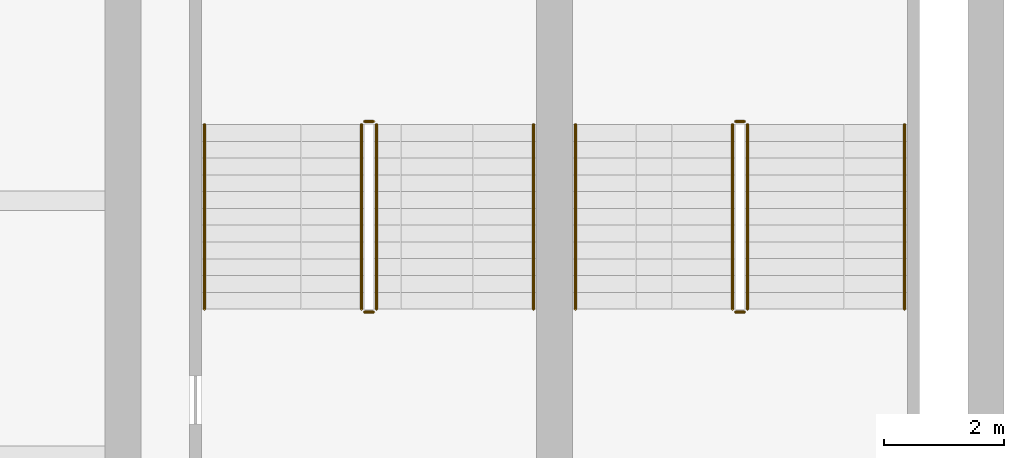
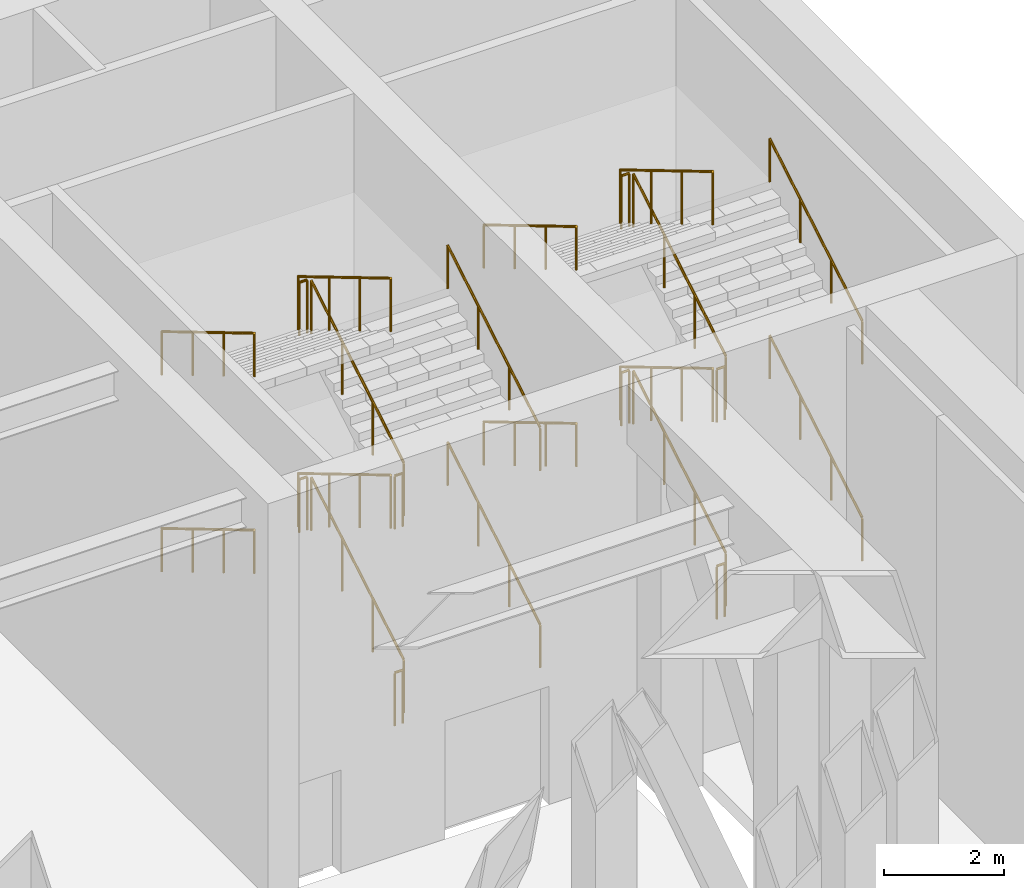
# One storey, part 20 of 20: 4 railings.
"""IFC4 building model written with IfcOpenShell, lengths in metres."""

from ifc_helpers import new_model, si_unit, direction, frame, origin, origin_2d, place, context, subcontext, project, spatial, circle, extrude, material, type_object, element, save


model = new_model("IFC4")

# Units and contexts
model_context = context("Model", 3, precision=1e-05, world=origin(), true_north=direction((0.0, 1.0)))
body_context = subcontext(model_context, "Body", "Model", "MODEL_VIEW")
ifc_project = project(units=[si_unit("LENGTHUNIT", "METRE"), si_unit("AREAUNIT", "SQUARE_METRE"), si_unit("VOLUMEUNIT", "CUBIC_METRE"), si_unit("PLANEANGLEUNIT", "RADIAN"), si_unit("MASSUNIT", "GRAM", prefix="KILO")], contexts=[model_context])

# Site, building, storey
site_placement = place(None, origin())
site = spatial("IfcSite", under=ifc_project, at=site_placement, CompositionType="ELEMENT")
building_placement = place(site_placement, origin())
building = spatial("IfcBuilding", under=site, at=building_placement, Name="Corbelhall Arena Tower", CompositionType="ELEMENT")
storey_placement = place(building_placement, frame((0.0, 0.0, 44.0)))
storey = spatial("IfcBuildingStorey", under=building, at=storey_placement, Name="L06", CompositionType="ELEMENT", Elevation=44.0)

# Railings
ifc_material = material(Name="Stainless steel A4", Category="steel")
railing_type_1 = type_object("IfcRailingType", Name="AR-STAIR-GUARD", PredefinedType="GUARDRAIL", material=ifc_material)
railing_1_placement = place(storey_placement, frame((37.530029296875, 27.320068359375, 0.166748046875)))
element("IfcRailing", 1, at=railing_1_placement, inside=storey, type_object=railing_type_1, Name="L06 AS1 stair guards", PredefinedType="GUARDRAIL", context=body_context, shape_type="SweptSolid", body=[
    extrude(circle(Radius=0.02392578125, at=origin_2d()), frame((0.0, 0.0, 1.076171875), z_axis=(0.0, 0.859290745958, 0.51148745235), x_axis=(-1.0, 0.0, 0.0)), (0.0, 0.0, 1.0), 3.584228515625),
    extrude(circle(Radius=0.02392578125, at=origin_2d()), frame((-0.050048828125, 3.1298828125, 2.9091796875), z_axis=(-1.0, 0.0, 0.0), x_axis=(0.0, -1.0, 0.0)), (0.0, 0.0, 1.0), 0.14990234375),
    extrude(circle(Radius=0.02392578125, at=origin_2d()), frame((-0.25, 3.079833984375, 3.076171875), z_axis=(0.0, -0.859290745958, 0.51148745235), x_axis=(1.0, 0.0, 0.0)), (0.0, 0.0, 1.0), 3.584228515625),
    extrude(circle(Radius=0.02392578125, at=origin_2d()), frame((-0.050048828125, -0.050048828125, 4.9091796875), z_axis=(-1.0, 0.0, 0.0), x_axis=(0.0, -1.0, 0.0)), (0.0, 0.0, 1.0), 0.14990234375),
    extrude(circle(Radius=0.02392578125, at=origin_2d()), frame((0.0, 0.0, 5.076171875), z_axis=(0.0, 0.859290745958, 0.51148745235), x_axis=(-1.0, 0.0, 0.0)), (0.0, 0.0, 1.0), 3.584228515625),
    extrude(circle(Radius=0.02392578125, at=origin_2d()), frame((-0.050048828125, 3.1298828125, 6.9091796875), z_axis=(-1.0, 0.0, 0.0), x_axis=(0.0, -1.0, 0.0)), (0.0, 0.0, 1.0), 0.14990234375),
    extrude(circle(Radius=0.02392578125, at=origin_2d()), frame((-0.25, 3.079833984375, 7.076171875), z_axis=(0.0, -0.859290745958, 0.51148745235), x_axis=(1.0, 0.0, 0.0)), (0.0, 0.0, 1.0), 3.584228515625),
    extrude(circle(Radius=0.02392578125, at=origin_2d()), frame((-0.050048828125, -0.050048828125, 0.9091796875), z_axis=(-1.0, 0.0, 0.0), x_axis=(0.0, -1.0, 0.0)), (0.0, 0.0, 1.0), 0.14990234375),
    extrude(circle(Radius=0.02099609375, at=origin_2d()), origin(), (0.0, 0.0, 1.0), 1.052001953125),
    extrude(circle(Radius=0.02099609375, at=origin_2d()), frame((0.0, 1.026611328125, 0.611083984375)), (0.0, 0.0, 1.0), 1.052001953125),
    extrude(circle(Radius=0.02099609375, at=origin_2d()), frame((0.0, 2.05322265625, 1.22216796875)), (0.0, 0.0, 1.0), 1.052001953125),
    extrude(circle(Radius=0.02099609375, at=origin_2d()), frame((0.0, 3.079833984375, 1.833251953125)), (0.0, 0.0, 1.0), 1.052001953125),
    extrude(circle(Radius=0.02099609375, at=origin_2d()), frame((-0.050048828125, 3.1298828125, 1.833251953125)), (0.0, 0.0, 1.0), 1.052001953125),
    extrude(circle(Radius=0.02099609375, at=origin_2d()), frame((-0.199951171875, 3.1298828125, 1.833251953125)), (0.0, 0.0, 1.0), 1.052001953125),
    extrude(circle(Radius=0.02099609375, at=origin_2d()), frame((-0.25, 3.079833984375, 2.0)), (0.0, 0.0, 1.0), 1.052001953125),
    extrude(circle(Radius=0.02099609375, at=origin_2d()), frame((-0.25, 2.05322265625, 2.611083984375)), (0.0, 0.0, 1.0), 1.052001953125),
    extrude(circle(Radius=0.02099609375, at=origin_2d()), frame((-0.25, 1.026611328125, 3.22216796875)), (0.0, 0.0, 1.0), 1.052001953125),
    extrude(circle(Radius=0.02099609375, at=origin_2d()), frame((-0.25, 0.0, 3.833251953125)), (0.0, 0.0, 1.0), 1.052001953125),
    extrude(circle(Radius=0.02099609375, at=origin_2d()), frame((-0.050048828125, -0.050048828125, 3.833251953125)), (0.0, 0.0, 1.0), 1.052001953125),
    extrude(circle(Radius=0.02099609375, at=origin_2d()), frame((-0.199951171875, -0.050048828125, 3.833251953125)), (0.0, 0.0, 1.0), 1.052001953125),
    extrude(circle(Radius=0.02099609375, at=origin_2d()), frame((0.0, 0.0, 4.0)), (0.0, 0.0, 1.0), 1.052001953125),
    extrude(circle(Radius=0.02099609375, at=origin_2d()), frame((0.0, 1.026611328125, 4.611083984375)), (0.0, 0.0, 1.0), 1.052001953125),
    extrude(circle(Radius=0.02099609375, at=origin_2d()), frame((0.0, 2.05322265625, 5.22216796875)), (0.0, 0.0, 1.0), 1.052001953125),
    extrude(circle(Radius=0.02099609375, at=origin_2d()), frame((0.0, 3.079833984375, 5.833251953125)), (0.0, 0.0, 1.0), 1.052001953125),
    extrude(circle(Radius=0.02099609375, at=origin_2d()), frame((-0.050048828125, 3.1298828125, 5.833251953125)), (0.0, 0.0, 1.0), 1.052001953125),
    extrude(circle(Radius=0.02099609375, at=origin_2d()), frame((-0.199951171875, 3.1298828125, 5.833251953125)), (0.0, 0.0, 1.0), 1.052001953125),
    extrude(circle(Radius=0.02099609375, at=origin_2d()), frame((-0.25, 3.079833984375, 6.0)), (0.0, 0.0, 1.0), 1.052001953125),
    extrude(circle(Radius=0.02099609375, at=origin_2d()), frame((-0.25, 2.05322265625, 6.611083984375)), (0.0, 0.0, 1.0), 1.052001953125),
    extrude(circle(Radius=0.02099609375, at=origin_2d()), frame((-0.25, 1.026611328125, 7.22216796875)), (0.0, 0.0, 1.0), 1.052001953125),
    extrude(circle(Radius=0.02099609375, at=origin_2d()), frame((-0.25, 0.0, 7.833251953125)), (0.0, 0.0, 1.0), 1.052001953125),
    extrude(circle(Radius=0.02099609375, at=origin_2d()), frame((-0.050048828125, -0.050048828125, -0.166748046875)), (0.0, 0.0, 1.0), 1.052001953125),
    extrude(circle(Radius=0.02099609375, at=origin_2d()), frame((-0.199951171875, -0.050048828125, -0.166748046875)), (0.0, 0.0, 1.0), 1.052001953125),
])
railing_2_placement = place(storey_placement, frame((43.719970703125, 27.320068359375, 0.166748046875)))
element("IfcRailing", 2, at=railing_2_placement, inside=storey, type_object=railing_type_1, Name="L06 AS2 stair guards", PredefinedType="GUARDRAIL", context=body_context, shape_type="SweptSolid", body=[
    extrude(circle(Radius=0.02392578125, at=origin_2d()), frame((0.0, 0.0, 1.076171875), z_axis=(0.0, 0.859290745958, 0.51148745235), x_axis=(-1.0, 0.0, 0.0)), (0.0, 0.0, 1.0), 3.584228515625),
    extrude(circle(Radius=0.02392578125, at=origin_2d()), frame((-0.050048828125, 3.1298828125, 2.9091796875), z_axis=(-1.0, 0.0, 0.0), x_axis=(0.0, -1.0, 0.0)), (0.0, 0.0, 1.0), 0.14990234375),
    extrude(circle(Radius=0.02392578125, at=origin_2d()), frame((-0.25, 3.079833984375, 3.076171875), z_axis=(0.0, -0.859290745958, 0.51148745235), x_axis=(1.0, 0.0, 0.0)), (0.0, 0.0, 1.0), 3.584228515625),
    extrude(circle(Radius=0.02392578125, at=origin_2d()), frame((-0.050048828125, -0.050048828125, 4.9091796875), z_axis=(-1.0, 0.0, 0.0), x_axis=(0.0, -1.0, 0.0)), (0.0, 0.0, 1.0), 0.14990234375),
    extrude(circle(Radius=0.02392578125, at=origin_2d()), frame((0.0, 0.0, 5.076171875), z_axis=(0.0, 0.859290745958, 0.51148745235), x_axis=(-1.0, 0.0, 0.0)), (0.0, 0.0, 1.0), 3.584228515625),
    extrude(circle(Radius=0.02392578125, at=origin_2d()), frame((-0.050048828125, 3.1298828125, 6.9091796875), z_axis=(-1.0, 0.0, 0.0), x_axis=(0.0, -1.0, 0.0)), (0.0, 0.0, 1.0), 0.14990234375),
    extrude(circle(Radius=0.02392578125, at=origin_2d()), frame((-0.25, 3.079833984375, 7.076171875), z_axis=(0.0, -0.859290745958, 0.51148745235), x_axis=(1.0, 0.0, 0.0)), (0.0, 0.0, 1.0), 3.584228515625),
    extrude(circle(Radius=0.02392578125, at=origin_2d()), frame((-0.050048828125, -0.050048828125, 0.9091796875), z_axis=(-1.0, 0.0, 0.0), x_axis=(0.0, -1.0, 0.0)), (0.0, 0.0, 1.0), 0.14990234375),
    extrude(circle(Radius=0.02099609375, at=origin_2d()), origin(), (0.0, 0.0, 1.0), 1.052001953125),
    extrude(circle(Radius=0.02099609375, at=origin_2d()), frame((0.0, 1.026611328125, 0.611083984375)), (0.0, 0.0, 1.0), 1.052001953125),
    extrude(circle(Radius=0.02099609375, at=origin_2d()), frame((0.0, 2.05322265625, 1.22216796875)), (0.0, 0.0, 1.0), 1.052001953125),
    extrude(circle(Radius=0.02099609375, at=origin_2d()), frame((0.0, 3.079833984375, 1.833251953125)), (0.0, 0.0, 1.0), 1.052001953125),
    extrude(circle(Radius=0.02099609375, at=origin_2d()), frame((-0.050048828125, 3.1298828125, 1.833251953125)), (0.0, 0.0, 1.0), 1.052001953125),
    extrude(circle(Radius=0.02099609375, at=origin_2d()), frame((-0.199951171875, 3.1298828125, 1.833251953125)), (0.0, 0.0, 1.0), 1.052001953125),
    extrude(circle(Radius=0.02099609375, at=origin_2d()), frame((-0.25, 3.079833984375, 2.0)), (0.0, 0.0, 1.0), 1.052001953125),
    extrude(circle(Radius=0.02099609375, at=origin_2d()), frame((-0.25, 2.05322265625, 2.611083984375)), (0.0, 0.0, 1.0), 1.052001953125),
    extrude(circle(Radius=0.02099609375, at=origin_2d()), frame((-0.25, 1.026611328125, 3.22216796875)), (0.0, 0.0, 1.0), 1.052001953125),
    extrude(circle(Radius=0.02099609375, at=origin_2d()), frame((-0.25, 0.0, 3.833251953125)), (0.0, 0.0, 1.0), 1.052001953125),
    extrude(circle(Radius=0.02099609375, at=origin_2d()), frame((-0.050048828125, -0.050048828125, 3.833251953125)), (0.0, 0.0, 1.0), 1.052001953125),
    extrude(circle(Radius=0.02099609375, at=origin_2d()), frame((-0.199951171875, -0.050048828125, 3.833251953125)), (0.0, 0.0, 1.0), 1.052001953125),
    extrude(circle(Radius=0.02099609375, at=origin_2d()), frame((0.0, 0.0, 4.0)), (0.0, 0.0, 1.0), 1.052001953125),
    extrude(circle(Radius=0.02099609375, at=origin_2d()), frame((0.0, 1.026611328125, 4.611083984375)), (0.0, 0.0, 1.0), 1.052001953125),
    extrude(circle(Radius=0.02099609375, at=origin_2d()), frame((0.0, 2.05322265625, 5.22216796875)), (0.0, 0.0, 1.0), 1.052001953125),
    extrude(circle(Radius=0.02099609375, at=origin_2d()), frame((0.0, 3.079833984375, 5.833251953125)), (0.0, 0.0, 1.0), 1.052001953125),
    extrude(circle(Radius=0.02099609375, at=origin_2d()), frame((-0.050048828125, 3.1298828125, 5.833251953125)), (0.0, 0.0, 1.0), 1.052001953125),
    extrude(circle(Radius=0.02099609375, at=origin_2d()), frame((-0.199951171875, 3.1298828125, 5.833251953125)), (0.0, 0.0, 1.0), 1.052001953125),
    extrude(circle(Radius=0.02099609375, at=origin_2d()), frame((-0.25, 3.079833984375, 6.0)), (0.0, 0.0, 1.0), 1.052001953125),
    extrude(circle(Radius=0.02099609375, at=origin_2d()), frame((-0.25, 2.05322265625, 6.611083984375)), (0.0, 0.0, 1.0), 1.052001953125),
    extrude(circle(Radius=0.02099609375, at=origin_2d()), frame((-0.25, 1.026611328125, 7.22216796875)), (0.0, 0.0, 1.0), 1.052001953125),
    extrude(circle(Radius=0.02099609375, at=origin_2d()), frame((-0.25, 0.0, 7.833251953125)), (0.0, 0.0, 1.0), 1.052001953125),
    extrude(circle(Radius=0.02099609375, at=origin_2d()), frame((-0.050048828125, -0.050048828125, -0.166748046875)), (0.0, 0.0, 1.0), 1.052001953125),
    extrude(circle(Radius=0.02099609375, at=origin_2d()), frame((-0.199951171875, -0.050048828125, -0.166748046875)), (0.0, 0.0, 1.0), 1.052001953125),
])
railing_type_2 = type_object("IfcRailingType", Name="AR-STAIR-HANDRAIL", PredefinedType="HANDRAIL", material=ifc_material)
railing_3_placement = place(storey_placement, frame((40.14990234375, 27.320068359375, 0.166748046875)))
element("IfcRailing", 3, at=railing_3_placement, inside=storey, type_object=railing_type_2, Name="L06 AS1 stair handrails", PredefinedType="HANDRAIL", context=body_context, shape_type="SweptSolid", body=[
    extrude(circle(Radius=0.02392578125, at=origin_2d()), frame((0.0, 0.0, 0.8759765625), z_axis=(0.0, 0.859290745958, 0.51148745235), x_axis=(-1.0, 0.0, 0.0)), (0.0, 0.0, 1.0), 3.584228515625),
    extrude(circle(Radius=0.02392578125, at=origin_2d()), frame((-5.489990234375, 3.079833984375, 2.8759765625), z_axis=(0.0, -0.859290745958, 0.51148745235), x_axis=(1.0, 0.0, 0.0)), (0.0, 0.0, 1.0), 3.584228515625),
    extrude(circle(Radius=0.02392578125, at=origin_2d()), frame((0.0, 0.0, 4.8759765625), z_axis=(0.0, 0.859290745958, 0.51148745235), x_axis=(-1.0, 0.0, 0.0)), (0.0, 0.0, 1.0), 3.584228515625),
    extrude(circle(Radius=0.02392578125, at=origin_2d()), frame((-5.489990234375, 3.079833984375, 6.8759765625), z_axis=(0.0, -0.859290745958, 0.51148745235), x_axis=(1.0, 0.0, 0.0)), (0.0, 0.0, 1.0), 3.584228515625),
    extrude(circle(Radius=0.02099609375, at=origin_2d()), origin(), (0.0, 0.0, 1.0), 0.851806640625),
    extrude(circle(Radius=0.02099609375, at=origin_2d()), frame((0.0, 1.026611328125, 0.611083984375)), (0.0, 0.0, 1.0), 0.851806640625),
    extrude(circle(Radius=0.02099609375, at=origin_2d()), frame((0.0, 2.05322265625, 1.22216796875)), (0.0, 0.0, 1.0), 0.851806640625),
    extrude(circle(Radius=0.02099609375, at=origin_2d()), frame((0.0, 3.079833984375, 1.833251953125)), (0.0, 0.0, 1.0), 0.851806640625),
    extrude(circle(Radius=0.02099609375, at=origin_2d()), frame((-5.489990234375, 3.079833984375, 2.0)), (0.0, 0.0, 1.0), 0.851806640625),
    extrude(circle(Radius=0.02099609375, at=origin_2d()), frame((-5.489990234375, 2.05322265625, 2.611083984375)), (0.0, 0.0, 1.0), 0.851806640625),
    extrude(circle(Radius=0.02099609375, at=origin_2d()), frame((-5.489990234375, 1.026611328125, 3.22216796875)), (0.0, 0.0, 1.0), 0.851806640625),
    extrude(circle(Radius=0.02099609375, at=origin_2d()), frame((-5.489990234375, 0.0, 3.833251953125)), (0.0, 0.0, 1.0), 0.851806640625),
    extrude(circle(Radius=0.02099609375, at=origin_2d()), frame((0.0, 0.0, 4.0)), (0.0, 0.0, 1.0), 0.851806640625),
    extrude(circle(Radius=0.02099609375, at=origin_2d()), frame((0.0, 1.026611328125, 4.611083984375)), (0.0, 0.0, 1.0), 0.851806640625),
    extrude(circle(Radius=0.02099609375, at=origin_2d()), frame((0.0, 2.05322265625, 5.22216796875)), (0.0, 0.0, 1.0), 0.851806640625),
    extrude(circle(Radius=0.02099609375, at=origin_2d()), frame((0.0, 3.079833984375, 5.833251953125)), (0.0, 0.0, 1.0), 0.851806640625),
    extrude(circle(Radius=0.02099609375, at=origin_2d()), frame((-5.489990234375, 3.079833984375, 6.0)), (0.0, 0.0, 1.0), 0.851806640625),
    extrude(circle(Radius=0.02099609375, at=origin_2d()), frame((-5.489990234375, 2.05322265625, 6.611083984375)), (0.0, 0.0, 1.0), 0.851806640625),
    extrude(circle(Radius=0.02099609375, at=origin_2d()), frame((-5.489990234375, 1.026611328125, 7.22216796875)), (0.0, 0.0, 1.0), 0.851806640625),
    extrude(circle(Radius=0.02099609375, at=origin_2d()), frame((-5.489990234375, 0.0, 7.833251953125)), (0.0, 0.0, 1.0), 0.851806640625),
])
railing_4_placement = place(storey_placement, frame((46.340087890625, 27.320068359375, 0.166748046875)))
element("IfcRailing", 4, at=railing_4_placement, inside=storey, type_object=railing_type_2, Name="L06 AS2 stair handrails", PredefinedType="HANDRAIL", context=body_context, shape_type="SweptSolid", body=[
    extrude(circle(Radius=0.02392578125, at=origin_2d()), frame((0.0, 0.0, 0.8759765625), z_axis=(0.0, 0.859290745958, 0.51148745235), x_axis=(-1.0, 0.0, 0.0)), (0.0, 0.0, 1.0), 3.584228515625),
    extrude(circle(Radius=0.02392578125, at=origin_2d()), frame((-5.489990234375, 3.079833984375, 2.8759765625), z_axis=(0.0, -0.859290745958, 0.51148745235), x_axis=(1.0, 0.0, 0.0)), (0.0, 0.0, 1.0), 3.584228515625),
    extrude(circle(Radius=0.02392578125, at=origin_2d()), frame((0.0, 0.0, 4.8759765625), z_axis=(0.0, 0.859290745958, 0.51148745235), x_axis=(-1.0, 0.0, 0.0)), (0.0, 0.0, 1.0), 3.584228515625),
    extrude(circle(Radius=0.02392578125, at=origin_2d()), frame((-5.489990234375, 3.079833984375, 6.8759765625), z_axis=(0.0, -0.859290745958, 0.51148745235), x_axis=(1.0, 0.0, 0.0)), (0.0, 0.0, 1.0), 3.584228515625),
    extrude(circle(Radius=0.02099609375, at=origin_2d()), origin(), (0.0, 0.0, 1.0), 0.851806640625),
    extrude(circle(Radius=0.02099609375, at=origin_2d()), frame((0.0, 1.026611328125, 0.611083984375)), (0.0, 0.0, 1.0), 0.851806640625),
    extrude(circle(Radius=0.02099609375, at=origin_2d()), frame((0.0, 2.05322265625, 1.22216796875)), (0.0, 0.0, 1.0), 0.851806640625),
    extrude(circle(Radius=0.02099609375, at=origin_2d()), frame((0.0, 3.079833984375, 1.833251953125)), (0.0, 0.0, 1.0), 0.851806640625),
    extrude(circle(Radius=0.02099609375, at=origin_2d()), frame((-5.489990234375, 3.079833984375, 2.0)), (0.0, 0.0, 1.0), 0.851806640625),
    extrude(circle(Radius=0.02099609375, at=origin_2d()), frame((-5.489990234375, 2.05322265625, 2.611083984375)), (0.0, 0.0, 1.0), 0.851806640625),
    extrude(circle(Radius=0.02099609375, at=origin_2d()), frame((-5.489990234375, 1.026611328125, 3.22216796875)), (0.0, 0.0, 1.0), 0.851806640625),
    extrude(circle(Radius=0.02099609375, at=origin_2d()), frame((-5.489990234375, 0.0, 3.833251953125)), (0.0, 0.0, 1.0), 0.851806640625),
    extrude(circle(Radius=0.02099609375, at=origin_2d()), frame((0.0, 0.0, 4.0)), (0.0, 0.0, 1.0), 0.851806640625),
    extrude(circle(Radius=0.02099609375, at=origin_2d()), frame((0.0, 1.026611328125, 4.611083984375)), (0.0, 0.0, 1.0), 0.851806640625),
    extrude(circle(Radius=0.02099609375, at=origin_2d()), frame((0.0, 2.05322265625, 5.22216796875)), (0.0, 0.0, 1.0), 0.851806640625),
    extrude(circle(Radius=0.02099609375, at=origin_2d()), frame((0.0, 3.079833984375, 5.833251953125)), (0.0, 0.0, 1.0), 0.851806640625),
    extrude(circle(Radius=0.02099609375, at=origin_2d()), frame((-5.489990234375, 3.079833984375, 6.0)), (0.0, 0.0, 1.0), 0.851806640625),
    extrude(circle(Radius=0.02099609375, at=origin_2d()), frame((-5.489990234375, 2.05322265625, 6.611083984375)), (0.0, 0.0, 1.0), 0.851806640625),
    extrude(circle(Radius=0.02099609375, at=origin_2d()), frame((-5.489990234375, 1.026611328125, 7.22216796875)), (0.0, 0.0, 1.0), 0.851806640625),
    extrude(circle(Radius=0.02099609375, at=origin_2d()), frame((-5.489990234375, 0.0, 7.833251953125)), (0.0, 0.0, 1.0), 0.851806640625),
])

save(model, "model.ifc")
